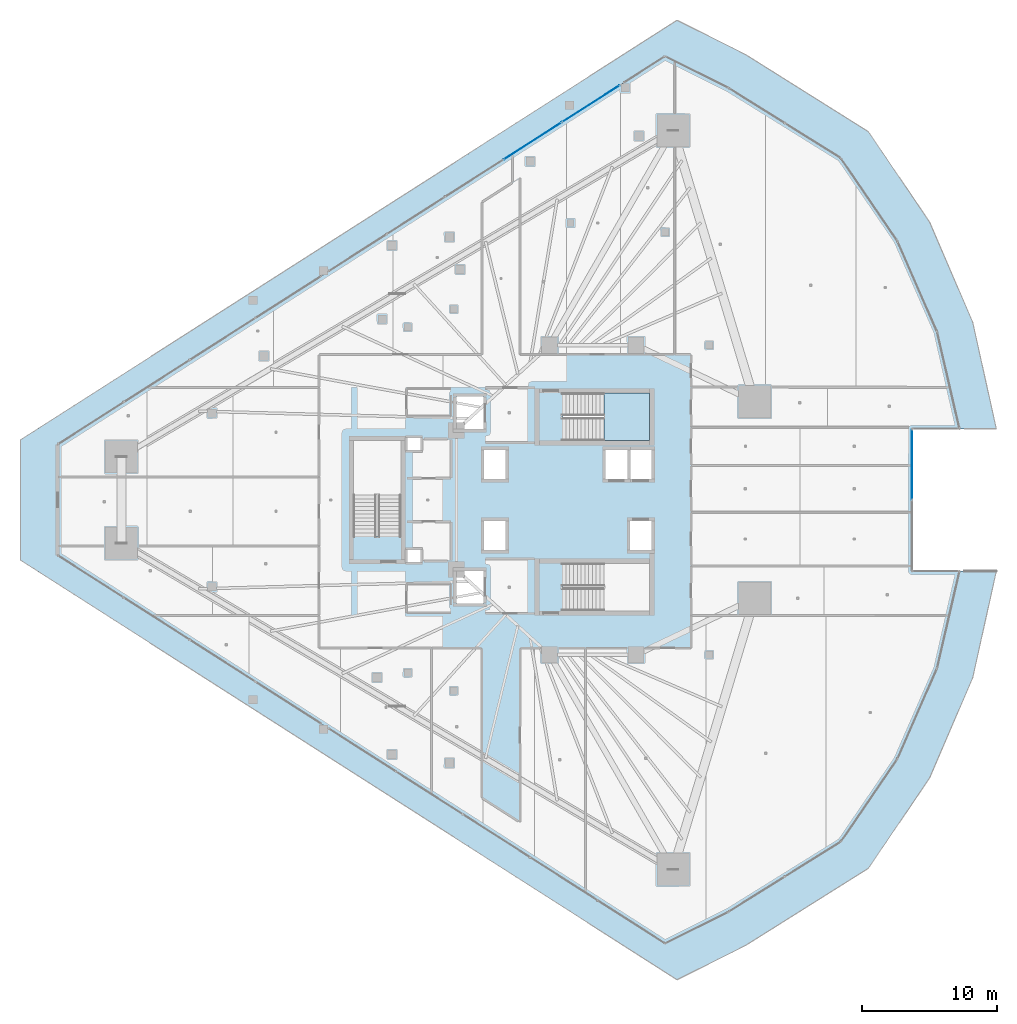
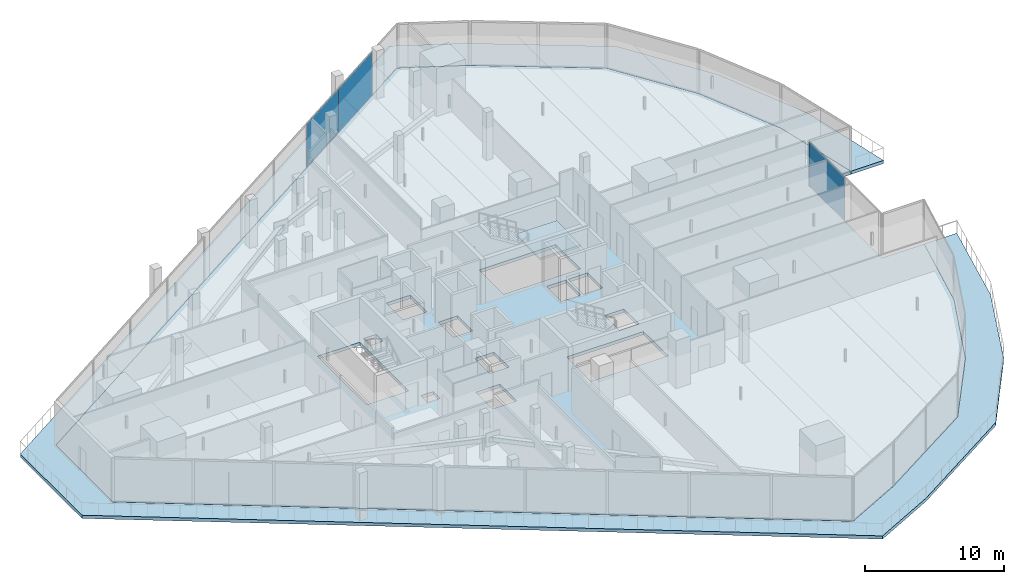
# One storey, part 35 of 52: 3 plates, 3 slabs, 3 elements without a shape of their own.
"""IFC4 building model written with IfcOpenShell, lengths in metres."""

from ifc_helpers import new_model, si_unit, direction, frame, origin, origin_2d, place, context, subcontext, project, spatial, polyline, rectangle, outline, extrude, material, layer, layer_set, type_object, element, aggregate, save


model = new_model("IFC4")

# Units and contexts
model_context = context("Model", 3, precision=1e-05, world=origin(), true_north=direction((0.0, 1.0)))
body_context = subcontext(model_context, "Body", "Model", "MODEL_VIEW")
ifc_project = project(units=[si_unit("LENGTHUNIT", "METRE"), si_unit("AREAUNIT", "SQUARE_METRE"), si_unit("VOLUMEUNIT", "CUBIC_METRE"), si_unit("PLANEANGLEUNIT", "RADIAN"), si_unit("MASSUNIT", "GRAM", prefix="KILO")], contexts=[model_context])

# Site, building, storey
site_placement = place(None, origin())
site = spatial("IfcSite", under=ifc_project, at=site_placement, CompositionType="ELEMENT")
building_placement = place(site_placement, origin())
building = spatial("IfcBuilding", under=site, at=building_placement, Name="Qorvath Tower", CompositionType="ELEMENT")
storey_placement = place(building_placement, frame((0.0, 0.0, 61.800048828125)))
storey = spatial("IfcBuildingStorey", under=building, at=storey_placement, Name="L13", CompositionType="ELEMENT", Elevation=61.800048828125)

# Curtain wall, plate
ifc_material_1 = material(Name="Anodised aluminium and triple low-E glass", Category="aluminium")
ifc_layer_1 = layer(ifc_material_1, 0.179931640625)
ifc_layer_set_1 = layer_set([ifc_layer_1], Name="CW-SYS-2")
curtain_wall_type = type_object("IfcCurtainWallType", Name="CW-SYS-2", PredefinedType="NOTDEFINED", material=ifc_layer_set_1)
curtain_wall_1_placement = place(storey_placement, origin())
curtain_wall_1 = element("IfcCurtainWall", 1, at=curtain_wall_1_placement, inside=storey, type_object=curtain_wall_type, Name="Curtain Wall CW-2 CW-T-L13-9.1", PredefinedType="NOTDEFINED")
ifc_material_2 = material(Name="Low-E triple insulated glass", Category="glass")
ifc_layer_2 = layer(ifc_material_2, 0.031982421875)
ifc_layer_set_2 = layer_set([ifc_layer_2], Name="CWP-GLZ-32")
plate_type = type_object("IfcPlateType", Name="CWP-GLZ-32", PredefinedType="CURTAIN_PANEL", material=ifc_layer_set_2)
plate_1_placement = place(storey_placement, frame((3.219482421875, 2.618896484375, 0.06494140625), z_axis=(0.0, 0.0, 1.0), x_axis=(0.0, 1.0, 0.0)))
plate_1 = element("IfcPlate", 2, at=plate_1_placement, type_object=plate_type, Name="CW-2 panel 2.1", PredefinedType="CURTAIN_PANEL", context=body_context, shape_type="SweptSolid", body=[
    extrude(rectangle(XDim=5.173095703125, YDim=0.031982421875, at=origin_2d()), origin(), (0.0, 0.0, 1.0), 3.7900390625),
])
aggregate(curtain_wall_1, [plate_1])

# Curtain wall, plates
curtain_wall_2_placement = place(storey_placement, origin())
curtain_wall_2 = element("IfcCurtainWall", 3, at=curtain_wall_2_placement, inside=storey, type_object=curtain_wall_type, Name="Curtain Wall CW-2 CW-T-L13-16.2", PredefinedType="NOTDEFINED")
plate_2_placement = place(storey_placement, frame((-20.54296875, 29.3203125, 0.06494140625), z_axis=(0.0, 0.0, 1.0), x_axis=(-0.842600296435, -0.538539451152, 0.0)))
plate_2 = element("IfcPlate", 4, at=plate_2_placement, type_object=plate_type, Name="CW-2 panel 1.1", PredefinedType="CURTAIN_PANEL", context=body_context, shape_type="SweptSolid", body=[
    extrude(rectangle(XDim=5.027587890625, YDim=0.031982421875, at=origin_2d()), origin(), (0.0, 0.0, 1.0), 3.7900390625),
])
plate_3_placement = place(storey_placement, frame((-24.847900390625, 26.569091796875, 0.06494140625), z_axis=(0.0, 0.0, 1.0), x_axis=(-0.842600296435, -0.538539451152, 0.0)))
plate_3 = element("IfcPlate", 5, at=plate_3_placement, type_object=plate_type, Name="CW-2 panel 2.1", PredefinedType="CURTAIN_PANEL", context=body_context, shape_type="SweptSolid", body=[
    extrude(rectangle(XDim=5.06005859375, YDim=0.031982421875, at=origin_2d()), origin(), (0.0, 0.0, 1.0), 3.7900390625),
])
aggregate(curtain_wall_2, [plate_2, plate_3])

# Stair, slab
ifc_material_3 = material(Name="Concrete C50/60", Category="concrete")
stair_type = type_object("IfcStairType", Name="ST-H420", PredefinedType="HALF_TURN_STAIR", material=ifc_material_3)
stair_placement = place(storey_placement, origin())
stair = element("IfcStair", 6, at=stair_placement, inside=storey, type_object=stair_type, Name="L13 Tower Exit Stair 1", PredefinedType="HALF_TURN_STAIR")
ifc_material_4 = material(Name="Concrete C50/60", Category="concrete")
ifc_layer_3 = layer(ifc_material_4, 0.199951171875)
ifc_layer_set_3 = layer_set([ifc_layer_3], Name="SL-LND-200")
slab_type_1 = type_object("IfcSlabType", Name="SL-LND-200", PredefinedType="LANDING", material=ifc_layer_set_3)
slab_1_placement = place(storey_placement, frame((0.0, 0.0, 1.89990234375)))
slab_1 = element("IfcSlab", 7, at=slab_1_placement, type_object=slab_type_1, Name="TS1 landing 1", PredefinedType="LANDING", context=body_context, shape_type="SweptSolid", body=[
    extrude(outline(polyline([(-19.590087890625, 4.39990234375), (-16.199951171875, 4.39990234375), (-16.199951171875, 7.909912109375), (-19.590087890625, 7.909912109375), (-19.590087890625, 4.39990234375)])), origin(), (0.0, 0.0, 1.0), 0.199951171875),
])
aggregate(stair, [slab_1])

# Slabs
ifc_material_5 = material(Name="Precast concrete C45/55", Category="concrete")
ifc_layer_4 = layer(ifc_material_5, 0.280029296875)
ifc_layer_set_4 = layer_set([ifc_layer_4], Name="SL-LOG-280")
slab_type_2 = type_object("IfcSlabType", Name="SL-LOG-280", PredefinedType="FLOOR", material=ifc_layer_set_4)
slab_2_placement = place(storey_placement, frame((0.0, 0.0, -0.280029296875)))
element("IfcSlab", 8, at=slab_2_placement, inside=storey, type_object=slab_type_2, Name="Tower L13 Perimeter Loggia and Terrace Slab", PredefinedType="FLOOR", context=body_context, shape_type="SweptSolid", body=[
    extrude(outline(polyline([(6.73291015625, -5.2705078125), (5.078125, -12.446533203125), (2.123046875, -19.192138671875), (-2.0302734375, -25.27392578125), (-10.36865234375, -30.481201171875), (-15.05810546875, -32.825927734375), (-59.998291015625, -4.103271484375), (-59.998291015625, 4.103271484375), (-15.05810546875, 32.825927734375), (-10.36865234375, 30.481201171875), (-2.0302734375, 25.27392578125), (2.123046875, 19.192138671875), (5.078125, 12.446533203125), (6.73291015625, 5.2705078125), (9.448974609375, 5.2705078125), (7.705078125, 13.150390625), (4.51318359375, 20.56298828125), (-0.012939453125, 27.2451171875), (-9.097900390625, 32.958984375), (-14.168701171875, 35.494140625), (-62.761962890625, 4.436767578125), (-62.761962890625, -4.436767578125), (-14.168701171875, -35.494140625), (-9.097900390625, -32.958984375), (-0.012939453125, -27.2451171875), (4.51318359375, -20.56298828125), (7.705078125, -13.150390625), (9.448974609375, -5.2705078125), (6.73291015625, -5.2705078125)])), origin(), (0.0, 0.0, 1.0), 0.280029296875),
])
ifc_material_6 = material(Name="Concrete C45/55", Category="concrete")
ifc_layer_5 = layer(ifc_material_6, 0.280029296875)
ifc_layer_set_5 = layer_set([ifc_layer_5], Name="SL-TYP-280")
slab_type_3 = type_object("IfcSlabType", Name="SL-TYP-280", PredefinedType="FLOOR", material=ifc_layer_set_5)
slab_3_placement = place(storey_placement, frame((0.0, 0.0, -0.280029296875)))
element("IfcSlab", 9, at=slab_3_placement, inside=storey, type_object=slab_type_3, Name="Tower L13 Interior Floor Slab", PredefinedType="FLOOR", context=body_context, shape_type="SweptSolid", body=[
    extrude(outline(polyline([(-59.998291015625, 4.103271484375), (-59.998291015625, -4.103271484375), (-15.05810546875, -32.825927734375), (-10.36865234375, -30.481201171875), (-2.0302734375, -25.27392578125), (2.123046875, -19.192138671875), (5.078125, -12.446533203125), (6.73291015625, -5.2705078125), (3.219482421875, -5.2705078125), (3.219482421875, 5.2705078125), (6.73291015625, 5.2705078125), (5.078125, 12.446533203125), (2.123046875, 19.192138671875), (-2.0302734375, 25.27392578125), (-10.36865234375, 30.481201171875), (-15.05810546875, 32.825927734375), (-59.998291015625, 4.103271484375)]), holes=[polyline([(-17.64990234375, -3.699951171875), (-17.64990234375, -1.550048828125), (-16.050048828125, -1.550048828125), (-16.050048828125, -3.699951171875), (-17.64990234375, -3.699951171875)]), polyline([(-17.64990234375, 1.550048828125), (-17.64990234375, 3.699951171875), (-16.050048828125, 3.699951171875), (-16.050048828125, 1.550048828125), (-17.64990234375, 1.550048828125)]), polyline([(-16.2451171875, -8.199951171875), (-22.625, -8.199951171875), (-22.625, -4.68994140625), (-16.2451171875, -4.68994140625), (-16.2451171875, -8.199951171875)]), polyline([(-22.625, 4.39990234375), (-22.625, 7.909912109375), (-16.2451171875, 7.909912109375), (-16.2451171875, 4.39990234375), (-22.625, 4.39990234375)]), polyline([(-17.85009765625, 1.550048828125), (-19.449951171875, 1.550048828125), (-19.449951171875, 3.699951171875), (-17.85009765625, 3.699951171875), (-17.85009765625, 1.550048828125)]), polyline([(-28.449951171875, -3.699951171875), (-28.449951171875, -1.550048828125), (-26.85009765625, -1.550048828125), (-26.85009765625, -3.699951171875), (-28.449951171875, -3.699951171875)]), polyline([(-26.85009765625, 1.550048828125), (-28.449951171875, 1.550048828125), (-28.449951171875, 3.699951171875), (-26.85009765625, 3.699951171875), (-26.85009765625, 1.550048828125)]), polyline([(-28.5, -7.64990234375), (-30.5, -7.64990234375), (-30.5, -5.25), (-28.5, -5.25), (-28.5, -7.64990234375)]), polyline([(-30.5, 5.25), (-30.5, 7.64990234375), (-28.5, 7.64990234375), (-28.5, 5.25), (-30.5, 5.25)]), polyline([(-34.14990234375, -4.6201171875), (-34.14990234375, -3.64990234375), (-33.10009765625, -3.64990234375), (-33.10009765625, -4.6201171875), (-34.14990234375, -4.6201171875)]), polyline([(-34.14990234375, 3.64990234375), (-34.14990234375, 4.6201171875), (-33.10009765625, 4.6201171875), (-33.10009765625, 3.64990234375), (-34.14990234375, 3.64990234375)]), polyline([(-34.60009765625, -2.675048828125), (-38.110107421875, -2.675048828125), (-38.110107421875, 4.35498046875), (-34.60009765625, 4.35498046875), (-34.60009765625, -2.675048828125)])]), origin(), (0.0, 0.0, 1.0), 0.280029296875),
])

save(model, "model.ifc")
